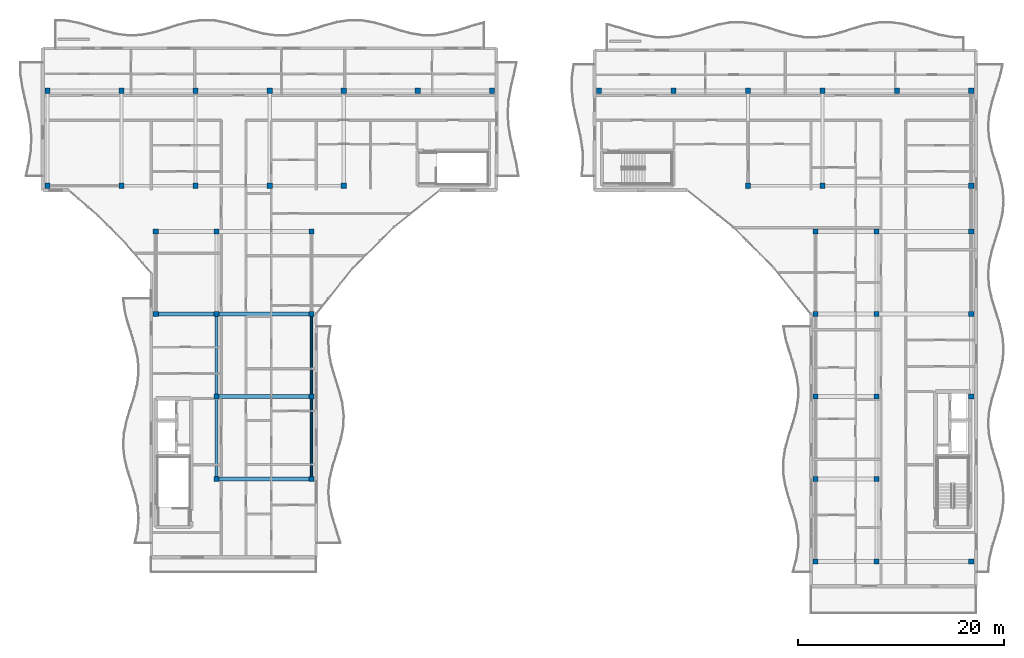
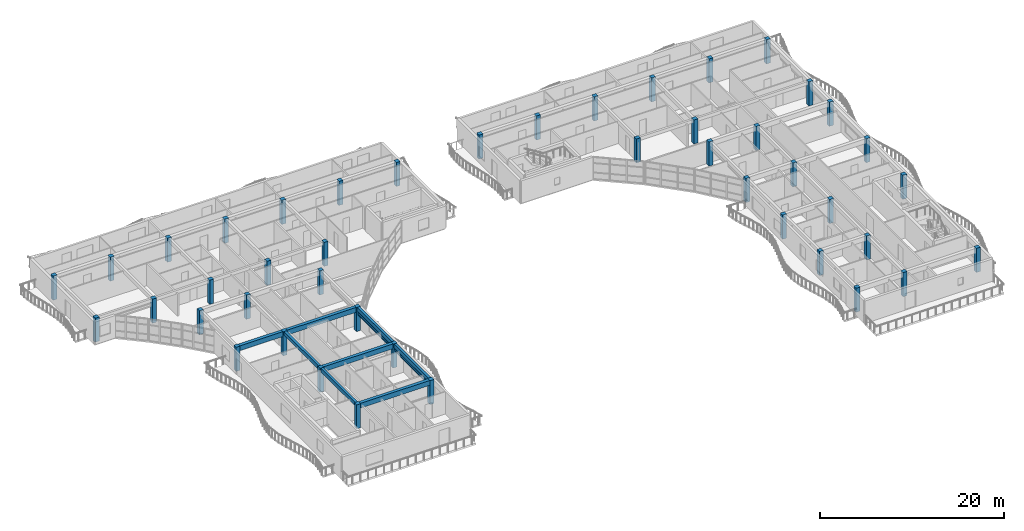
# One storey, part 1 of 30: 45 columns, 8 beams, 4 members.
"""IFC4 building model written with IfcOpenShell, lengths in metres."""

from ifc_helpers import new_model, si_unit, direction, frame, origin, origin_2d, place, context, subcontext, project, spatial, rectangle, hollow_rectangle, extrude, material, material_profile, profile_set, type_object, element, save


model = new_model("IFC4")

# Units and contexts
model_context = context("Model", 3, precision=1e-05, world=origin(), true_north=direction((0.0, 1.0)))
body_context = subcontext(model_context, "Body", "Model", "MODEL_VIEW")
ifc_project = project(units=[si_unit("LENGTHUNIT", "METRE"), si_unit("AREAUNIT", "SQUARE_METRE"), si_unit("VOLUMEUNIT", "CUBIC_METRE"), si_unit("PLANEANGLEUNIT", "RADIAN"), si_unit("MASSUNIT", "GRAM", prefix="KILO")], contexts=[model_context])

# Site, building, storey
site_placement = place(None, origin())
site = spatial("IfcSite", under=ifc_project, at=site_placement, CompositionType="ELEMENT")
building_placement = place(site_placement, origin())
building = spatial("IfcBuilding", under=site, at=building_placement, Name="Keldmere Railside Commons", CompositionType="ELEMENT")
storey_placement = place(building_placement, frame((0.0, 0.0, 36.159912109375)))
storey = spatial("IfcBuildingStorey", under=building, at=storey_placement, Name="L11", CompositionType="ELEMENT", Elevation=36.159912109375)

# Columns
ifc_material_1 = material(Name="Concrete H-35 (C35/45)", Category="concrete")
ifc_material_profile_1 = material_profile(ifc_material_1, rectangle(XDim=0.5, YDim=0.5, at=origin_2d()), Name="RC-500x500")
ifc_profile_set_1 = profile_set([ifc_material_profile_1], Name="Concrete H-35 (C35/45)")
column_type = type_object("IfcColumnType", Name="Upper Residential RC Column 500x500", PredefinedType="COLUMN", material=ifc_profile_set_1)
for number, where, z_axis, x_axis, name in (
    (1, (93.949951171875, 100.449951171875, 0.0), (0.0, 0.0, 1.0), (1.0, 0.0, 0.0), "C-500 COL-L11-0821"),
    (2, (93.949951171875, 109.64990234375, 0.0), (0.0, 0.0, 1.0), (1.0, 0.0, 0.0), "C-500 COL-L11-0835"),
    (3, (101.133056640625, 100.449951171875, 0.0), (0.0, 0.0, 1.0), (1.0, 0.0, 0.0), "C-500 COL-L11-0890"),
    (4, (101.133056640625, 109.64990234375, 0.0), (0.0, 0.0, 1.0), (1.0, 0.0, 0.0), "C-500 COL-L11-0904"),
    (5, (104.449951171875, 88.0, 0.0), (0.0, 0.0, 1.0), (1.0, 0.0, 0.0), "C-500 COL-L11-0953"),
    (6, (104.449951171875, 96.0, 0.0), (0.0, 0.0, 1.0), (1.0, 0.0, 0.0), "C-500 COL-L11-0966"),
    (7, (108.31689453125, 100.449951171875, 0.0), (0.0, 0.0, 1.0), (1.0, 0.0, 0.0), "C-500 COL-L11-0990"),
    (8, (108.31689453125, 109.64990234375, 0.0), (0.0, 0.0, 1.0), (1.0, 0.0, 0.0), "C-500 COL-L11-1004"),
    (9, (110.35009765625, 72.0, 0.0), (0.0, 0.0, 1.0), (1.0, 0.0, 0.0), "C-500 COL-L11-1047"),
    (10, (110.35009765625, 80.0, 0.0), (0.0, 0.0, 1.0), (1.0, 0.0, 0.0), "C-500 COL-L11-1060"),
    (11, (110.35009765625, 88.0, 0.0), (0.0, 0.0, 1.0), (1.0, 0.0, 0.0), "C-500 COL-L11-1073"),
    (12, (110.35009765625, 96.0, 0.0), (0.0, 0.0, 1.0), (1.0, 0.0, 0.0), "C-500 COL-L11-1086"),
    (13, (115.5, 100.449951171875, 0.0), (0.0, 0.0, 1.0), (1.0, 0.0, 0.0), "C-500 COL-L11-1107"),
    (14, (115.5, 109.64990234375, 0.0), (0.0, 0.0, 1.0), (1.0, 0.0, 0.0), "C-500 COL-L11-1121"),
    (15, (119.550048828125, 72.0, 0.0), (0.0, 0.0, 1.0), (1.0, 0.0, 0.0), "C-500 COL-L11-1164"),
    (16, (119.550048828125, 80.0, 0.0), (0.0, 0.0, 1.0), (1.0, 0.0, 0.0), "C-500 COL-L11-1177"),
    (17, (119.550048828125, 88.0, 0.0), (0.0, 0.0, 1.0), (1.0, 0.0, 0.0), "C-500 COL-L11-1190"),
    (18, (119.550048828125, 96.0, 0.0), (0.0, 0.0, 1.0), (1.0, 0.0, 0.0), "C-500 COL-L11-1203"),
    (19, (122.68310546875, 100.449951171875, 0.0), (0.0, 0.0, 1.0), (1.0, 0.0, 0.0), "C-500 COL-L11-1245"),
    (20, (122.68310546875, 109.64990234375, 0.0), (0.0, 0.0, 1.0), (1.0, 0.0, 0.0), "C-500 COL-L11-1259"),
    (21, (129.866943359375, 109.64990234375, 0.0), (0.0, 0.0, 1.0), (1.0, 0.0, 0.0), "C-500 COL-L11-1304"),
    (22, (137.050048828125, 109.64990234375, 0.0), (0.0, 0.0, 1.0), (1.0, 0.0, 0.0), "C-500 COL-L11-1354"),
    (23, (147.449951171875, 109.64990234375, 0.0), (0.0, 0.0, 1.0), (1.0, 0.0, 0.0), "C-500 COL-L11-1384"),
    (24, (154.669921875, 109.64990234375, 0.0), (0.0, 0.0, 1.0), (1.0, 0.0, 0.0), "C-500 COL-L11-1436"),
    (25, (161.889892578125, 100.449951171875, 0.0), (0.0, 0.0, 1.0), (1.0, 0.0, 0.0), "C-500 COL-L11-1489"),
    (26, (161.889892578125, 109.64990234375, 0.0), (0.0, 0.0, 1.0), (1.0, 0.0, 0.0), "C-500 COL-L11-1505"),
    (27, (168.449951171875, 64.0, 0.0), (0.0, 0.0, 1.0), (1.0, 0.0, 0.0), "C-500 COL-L11-1565"),
    (28, (168.449951171875, 72.0, 0.0), (0.0, 0.0, 1.0), (1.0, 0.0, 0.0), "C-500 COL-L11-1579"),
    (29, (168.449951171875, 80.0, 0.0), (0.0, 0.0, 1.0), (1.0, 0.0, 0.0), "C-500 COL-L11-1594"),
    (30, (168.449951171875, 88.0, 0.0), (0.0, 0.0, 1.0), (1.0, 0.0, 0.0), "C-500 COL-L11-1609"),
    (31, (168.449951171875, 96.0, 0.0), (0.0, 0.0, 1.0), (1.0, 0.0, 0.0), "C-500 COL-L11-1624"),
    (32, (169.110107421875, 100.449951171875, 0.0), (0.0, 0.0, 1.0), (1.0, 0.0, 0.0), "C-500 COL-L11-1639"),
    (33, (169.110107421875, 109.64990234375, 0.0), (0.0, 0.0, 1.0), (1.0, 0.0, 0.0), "C-500 COL-L11-1655"),
    (34, (174.35009765625, 64.0, 0.0), (0.0, 0.0, 1.0), (1.0, 0.0, 0.0), "C-500 COL-L11-1691"),
    (35, (174.35009765625, 72.0, 0.0), (0.0, 0.0, 1.0), (1.0, 0.0, 0.0), "C-500 COL-L11-1705"),
    (36, (174.35009765625, 80.0, 0.0), (0.0, 0.0, 1.0), (1.0, 0.0, 0.0), "C-500 COL-L11-1720"),
    (37, (174.35009765625, 88.0, 0.0), (0.0, 0.0, 1.0), (1.0, 0.0, 0.0), "C-500 COL-L11-1735"),
    (38, (174.35009765625, 96.0, 0.0), (0.0, 0.0, 1.0), (1.0, 0.0, 0.0), "C-500 COL-L11-1750"),
    (39, (176.330078125, 109.64990234375, 0.0), (0.0, 0.0, 1.0), (1.0, 0.0, 0.0), "C-500 COL-L11-1783"),
    (40, (183.550048828125, 64.0, 0.0), (0.0, 0.0, 1.0), (1.0, 0.0, 0.0), "C-500 COL-L11-1823"),
    (41, (183.550048828125, 80.0, 0.0), (0.0, 0.0, 1.0), (1.0, 0.0, 0.0), "C-500 COL-L11-1837"),
    (42, (183.550048828125, 88.0, 0.0), (0.0, 0.0, 1.0), (1.0, 0.0, 0.0), "C-500 COL-L11-1852"),
    (43, (183.550048828125, 96.0, 0.0), (0.0, 0.0, 1.0), (1.0, 0.0, 0.0), "C-500 COL-L11-1867"),
    (44, (183.550048828125, 100.449951171875, 0.0), (0.0, 0.0, 1.0), (1.0, 0.0, 0.0), "C-500 COL-L11-1882"),
    (45, (183.550048828125, 109.64990234375, 0.0), (0.0, 0.0, 1.0), (1.0, 0.0, 0.0), "C-500 COL-L11-1898"),
):
    element("IfcColumn", number, at=place(storey_placement, frame(where, z_axis=z_axis, x_axis=x_axis)), inside=storey, type_object=column_type, Name=name, PredefinedType="COLUMN", context=body_context, shape_type="SweptSolid", body=[
        extrude(rectangle(XDim=0.5, YDim=0.5, at=origin_2d()), origin(), (0.0, 0.0, 1.0), 3.2001953125),
    ])

# Members
ifc_material_2 = material(Name="Steel F-36 (S355)", Category="steel")
ifc_material_profile_2 = material_profile(ifc_material_2, hollow_rectangle(XDim=0.14990234375, YDim=0.25, WallThickness=0.010009765625, at=origin_2d()), Name="RHS-250x150x10")
ifc_profile_set_2 = profile_set([ifc_material_profile_2], Name="Steel F-36 (S355)")
member_type_1 = type_object("IfcMemberType", Name="Balcony Continuous Planted Trough RHS250x150", PredefinedType="CHORD", material=ifc_profile_set_2)
for number, where, z_axis, x_axis, name in (
    (46, (119.550048828125, 72.25, 2.4150390625), (0.0, 1.0, 0.0), (-1.0, 0.0, 0.0), "PLT-1 MEM-BPLT-1013"),
    (47, (119.550048828125, 80.25, 2.4150390625), (0.0, 1.0, 0.0), (-1.0, 0.0, 0.0), "PLT-1 MEM-BPLT-1015"),
):
    element("IfcMember", number, at=place(storey_placement, frame(where, z_axis=z_axis, x_axis=x_axis)), inside=storey, type_object=member_type_1, Name=name, PredefinedType="CHORD", context=body_context, shape_type="SweptSolid", body=[
        extrude(hollow_rectangle(XDim=0.14990234375, YDim=0.25, WallThickness=0.010009765625, at=origin_2d()), origin(), (0.0, 0.0, 1.0), 7.5),
    ])

# Beams
ifc_material_3 = material(Name="Concrete H-30 (C30/37)", Category="concrete")
ifc_material_profile_3 = material_profile(ifc_material_3, rectangle(XDim=0.39990234375, YDim=0.64990234375, at=origin_2d()), Name="RC-400x650")
ifc_profile_set_3 = profile_set([ifc_material_profile_3], Name="Concrete H-30 (C30/37)")
beam_type_1 = type_object("IfcBeamType", Name="Residential Spine RC Girder 400x650", PredefinedType="BEAM", material=ifc_profile_set_3)
for number, where, z_axis, x_axis, name in (
    (48, (110.60009765625, 72.0, 2.875), (1.0, 0.0, 0.0), (0.0, 1.0, 0.0), "BG-3 BM-L11-2430"),
    (49, (110.60009765625, 80.0, 2.875), (1.0, 0.0, 0.0), (0.0, 1.0, 0.0), "BG-3 BM-L11-2432"),
):
    element("IfcBeam", number, at=place(storey_placement, frame(where, z_axis=z_axis, x_axis=x_axis)), inside=storey, type_object=beam_type_1, Name=name, PredefinedType="BEAM", context=body_context, shape_type="SweptSolid", body=[
        extrude(rectangle(XDim=0.39990234375, YDim=0.64990234375, at=origin_2d()), origin(), (0.0, 0.0, 1.0), 8.699951171875),
    ])
beam_1_placement = place(storey_placement, frame((104.699951171875, 88.0, 2.875), z_axis=(1.0, 0.0, 0.0), x_axis=(0.0, 1.0, 0.0)))
element("IfcBeam", 50, at=beam_1_placement, inside=storey, type_object=beam_type_1, Name="BG-3 BM-L11-2434", PredefinedType="BEAM", context=body_context, shape_type="SweptSolid", body=[
    extrude(rectangle(XDim=0.39990234375, YDim=0.64990234375, at=origin_2d()), origin(), (0.0, 0.0, 1.0), 5.400146484375),
])
beam_2_placement = place(storey_placement, frame((110.60009765625, 88.0, 2.875), z_axis=(1.0, 0.0, 0.0), x_axis=(0.0, 1.0, 0.0)))
element("IfcBeam", 51, at=beam_2_placement, inside=storey, type_object=beam_type_1, Name="BG-3 BM-L11-2435", PredefinedType="BEAM", context=body_context, shape_type="SweptSolid", body=[
    extrude(rectangle(XDim=0.39990234375, YDim=0.64990234375, at=origin_2d()), origin(), (0.0, 0.0, 1.0), 8.699951171875),
])
ifc_material_profile_4 = material_profile(ifc_material_3, rectangle(XDim=0.300048828125, YDim=0.5, at=origin_2d()), Name="RC-300x500")
ifc_profile_set_4 = profile_set([ifc_material_profile_4], Name="Concrete H-30 (C30/37)")
beam_type_2 = type_object("IfcBeamType", Name="Secondary Frame RC Beam 300x500", PredefinedType="BEAM", material=ifc_profile_set_4)
for number, where, z_axis, x_axis, name in (
    (52, (110.35009765625, 72.25, 2.9501953125), (0.0, 1.0, 0.0), (-1.0, 0.0, 0.0), "BG-5 BM-L11-2463"),
    (53, (110.35009765625, 80.25, 2.9501953125), (0.0, 1.0, 0.0), (-1.0, 0.0, 0.0), "BG-5 BM-L11-2464"),
    (54, (119.550048828125, 72.25, 2.9501953125), (0.0, 1.0, 0.0), (-1.0, 0.0, 0.0), "BG-5 BM-L11-2467"),
    (55, (119.550048828125, 80.25, 2.9501953125), (0.0, 1.0, 0.0), (-1.0, 0.0, 0.0), "BG-5 BM-L11-2468"),
):
    element("IfcBeam", number, at=place(storey_placement, frame(where, z_axis=z_axis, x_axis=x_axis)), inside=storey, type_object=beam_type_2, Name=name, PredefinedType="BEAM", context=body_context, shape_type="SweptSolid", body=[
        extrude(rectangle(XDim=0.300048828125, YDim=0.5, at=origin_2d()), origin(), (0.0, 0.0, 1.0), 7.5),
    ])

# Members
ifc_material_profile_5 = material_profile(ifc_material_2, hollow_rectangle(XDim=0.10009765625, YDim=0.159912109375, WallThickness=0.008056640625, at=origin_2d()), Name="RHS-160x100x8")
ifc_profile_set_5 = profile_set([ifc_material_profile_5], Name="Steel F-36 (S355)")
member_type_2 = type_object("IfcMemberType", Name="Solar Brise-Soleil Louvre Fin RHS160x100", PredefinedType="STRUT", material=ifc_profile_set_5)
for number, where, z_axis, x_axis, name in (
    (56, (119.550048828125, 72.25, 2.2001953125), (0.0, 1.0, 0.0), (-1.0, 0.0, 0.0), "BSF-1 MEM-BSF-1014"),
    (57, (119.550048828125, 80.25, 2.2001953125), (0.0, 1.0, 0.0), (-1.0, 0.0, 0.0), "BSF-1 MEM-BSF-1016"),
):
    element("IfcMember", number, at=place(storey_placement, frame(where, z_axis=z_axis, x_axis=x_axis)), inside=storey, type_object=member_type_2, Name=name, PredefinedType="STRUT", context=body_context, shape_type="SweptSolid", body=[
        extrude(hollow_rectangle(XDim=0.10009765625, YDim=0.159912109375, WallThickness=0.008056640625, at=origin_2d()), origin(), (0.0, 0.0, 1.0), 7.5),
    ])

save(model, "model.ifc")
